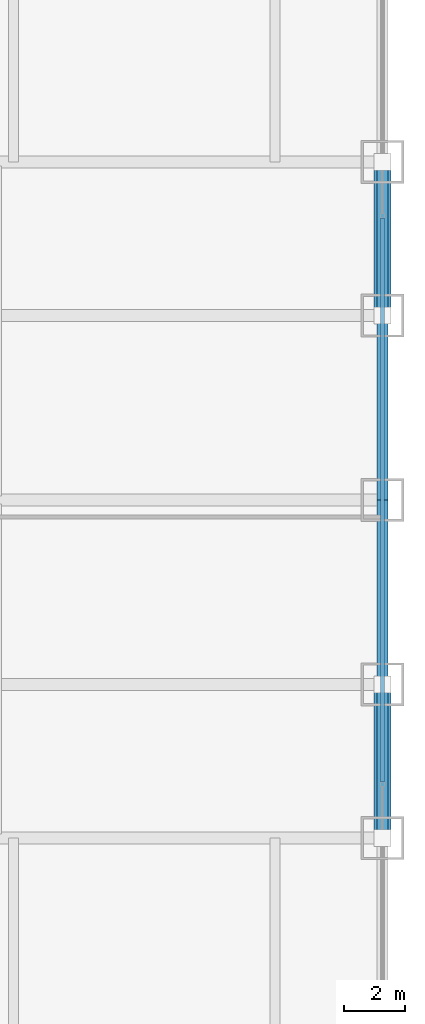
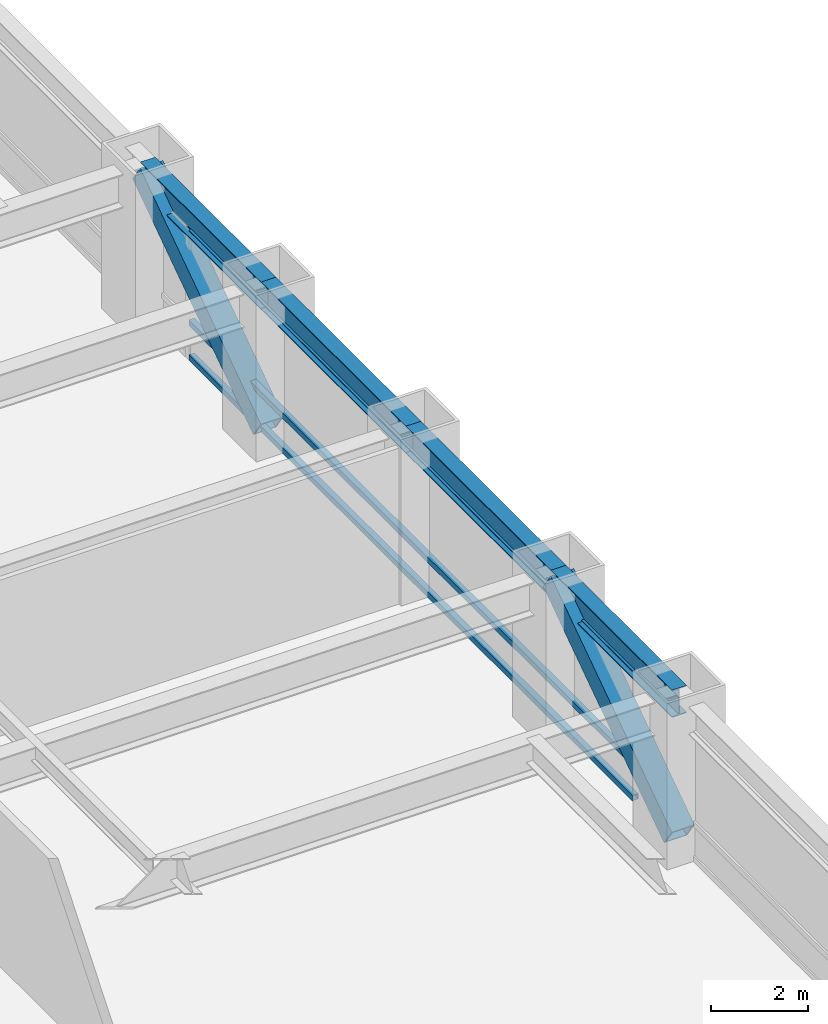
# One storey, part 17 of 28: 5 members, 4 beams, 1 element without a shape of its own.
"""IFC4 building model written with IfcOpenShell, lengths in metres."""

from ifc_helpers import new_model, si_unit, direction, frame, origin, origin_2d, place, context, subcontext, project, spatial, hollow_rectangle, i_section, extrude, source, transform, mapped, material, material_profile, profile_set, type_object, element, aggregate, save


model = new_model("IFC4")

# Units and contexts
model_context = context("Model", 3, precision=1e-05, world=origin(), true_north=direction((0.0, 1.0)))
body_context = subcontext(model_context, "Body", "Model", "MODEL_VIEW")
ifc_project = project(units=[si_unit("LENGTHUNIT", "METRE"), si_unit("AREAUNIT", "SQUARE_METRE"), si_unit("VOLUMEUNIT", "CUBIC_METRE"), si_unit("PLANEANGLEUNIT", "RADIAN"), si_unit("MASSUNIT", "GRAM", prefix="KILO")], contexts=[model_context])

# Site, building, storey
site_placement = place(None, origin())
site = spatial("IfcSite", under=ifc_project, at=site_placement, CompositionType="ELEMENT")
building_placement = place(site_placement, origin())
building = spatial("IfcBuilding", under=site, at=building_placement, Name="Khorayat Bourse Tower", CompositionType="ELEMENT")
storey_placement = place(building_placement, frame((0.0, 0.0, 66.199951171875)))
storey = spatial("IfcBuildingStorey", under=building, at=storey_placement, Name="L14", CompositionType="ELEMENT", Elevation=66.199951171875)

# Beams
ifc_material_1 = material(Name="Steel ASTM A992 Grade 50", Category="steel")
ifc_material_profile_1 = material_profile(ifc_material_1, i_section(OverallWidth=0.35498046875, OverallDepth=0.695068359375, WebThickness=0.015380859375, FlangeThickness=0.02490234375, FilletRadius=0.01806640625, at=origin_2d()), Name="W690X217")
ifc_profile_set_1 = profile_set([ifc_material_profile_1], Name="Steel ASTM A992 Grade 50")
beam_type = type_object("IfcBeamType", Name="BM-SPAN-690", PredefinedType="SPANDREL", material=ifc_profile_set_1)
shared_shape_1 = source(origin(), body_context, "Body", "SweptSolid", [
    extrude(i_section(OverallWidth=0.35498046875, OverallDepth=0.695068359375, WebThickness=0.015380859375, FlangeThickness=0.02490234375, FilletRadius=0.01806640625, at=origin_2d()), origin(), (0.0, 0.0, 1.0), 5.0),
])
for number, where, z_axis, x_axis, name in (
    (1, (32.0, -11.0, 3.592529296875), (0.0, 1.0, 0.0), (-1.0, 0.0, 0.0), "L14 BM-SPAN-690 BM-L14-SPN-036"),
    (2, (32.0, 6.0, 3.592529296875), (0.0, 1.0, 0.0), (-1.0, 0.0, 0.0), "L14 BM-SPAN-690 BM-L14-SPN-039"),
):
    element("IfcBeam", number, at=place(storey_placement, frame(where, z_axis=z_axis, x_axis=x_axis)), inside=storey, type_object=beam_type, Name=name, PredefinedType="SPANDREL", context=body_context, shape_type="MappedRepresentation", body=[
        mapped(shared_shape_1, transform((0.0, 0.0, 0.0), scale=1.0)),
    ])
shared_shape_2 = source(origin(), body_context, "Body", "SweptSolid", [
    extrude(i_section(OverallWidth=0.35498046875, OverallDepth=0.695068359375, WebThickness=0.015380859375, FlangeThickness=0.02490234375, FilletRadius=0.01806640625, at=origin_2d()), origin(), (0.0, 0.0, 1.0), 6.0),
])
for number, where, z_axis, x_axis, name in (
    (3, (32.0, -6.0, 3.592529296875), (0.0, 1.0, 0.0), (-1.0, 0.0, 0.0), "L14 BM-SPAN-690 BM-L14-SPN-037"),
    (4, (32.0, 0.0, 3.592529296875), (0.0, 1.0, 0.0), (-1.0, 0.0, 0.0), "L14 BM-SPAN-690 BM-L14-SPN-038"),
):
    element("IfcBeam", number, at=place(storey_placement, frame(where, z_axis=z_axis, x_axis=x_axis)), inside=storey, type_object=beam_type, Name=name, PredefinedType="SPANDREL", context=body_context, shape_type="MappedRepresentation", body=[
        mapped(shared_shape_2, transform((0.0, 0.0, 0.0), scale=1.0)),
    ])

# Members
ifc_material_2 = material(Name="Steel EN 10025-4 S460M", Category="steel")
ifc_material_profile_2 = material_profile(ifc_material_2, hollow_rectangle(XDim=0.550048828125, YDim=0.550048828125, WallThickness=0.031982421875, at=origin_2d()), Name="HSS 550x550x32")
ifc_profile_set_2 = profile_set([ifc_material_profile_2], Name="Steel EN 10025-4 S460M")
member_type_1 = type_object("IfcMemberType", Name="MBR-TUBE-550", PredefinedType="BRACE", material=ifc_profile_set_2)
shared_shape_3 = source(origin(), body_context, "Body", "SweptSolid", [
    extrude(hollow_rectangle(XDim=0.550048828125, YDim=0.550048828125, WallThickness=0.031982421875, at=origin_2d()), origin(), (0.0, 0.0, 1.0), 6.069091796875),
])
for number, where, z_axis, x_axis, name in (
    (5, (32.0, -11.0, 0.25), (0.0, 0.823854080622, 0.566801952928), (-1.0, 0.0, 0.0), "L14 Perimeter Tube Brace 07"),
    (6, (32.0, 6.0, 0.25), (0.0, 0.823854080622, 0.566801952928), (-1.0, 0.0, 0.0), "L14 Perimeter Tube Brace 08"),
):
    element("IfcMember", number, at=place(storey_placement, frame(where, z_axis=z_axis, x_axis=x_axis)), inside=storey, type_object=member_type_1, Name=name, PredefinedType="BRACE", context=body_context, shape_type="MappedRepresentation", body=[
        mapped(shared_shape_3, transform((0.0, 0.0, 0.0), scale=1.0)),
    ])

# Curtain wall, members
ifc_material_3 = material(Name="Aluminium EN AW-6063 T6", Category="aluminium")
curtain_wall_type = type_object("IfcCurtainWallType", Name="CW-SYS-02", PredefinedType="NOTDEFINED", material=ifc_material_3)
curtain_wall_placement = place(storey_placement, origin())
curtain_wall = element("IfcCurtainWall", 7, at=curtain_wall_placement, inside=storey, type_object=curtain_wall_type, Name="L14 Curtain Wall CW-L14-E1", PredefinedType="NOTDEFINED")
ifc_material_profile_3 = material_profile(ifc_material_3, hollow_rectangle(XDim=0.139892578125, YDim=0.139892578125, WallThickness=0.006103515625, at=origin_2d()), Name="ALU 140x140x6")
ifc_profile_set_3 = profile_set([ifc_material_profile_3], Name="Aluminium EN AW-6063 T6")
member_type_2 = type_object("IfcMemberType", Name="CWT-HORZ-140", PredefinedType="USERDEFINED", material=ifc_profile_set_3)
shared_shape_4 = source(origin(), body_context, "Body", "SweptSolid", [
    extrude(hollow_rectangle(XDim=0.139892578125, YDim=0.139892578125, WallThickness=0.006103515625, at=origin_2d()), origin(), (0.0, 0.0, 1.0), 18.35986328125),
])
member_1_placement = place(storey_placement, frame((32.0, -9.179931640625, 0.070068359375), z_axis=(0.0, 1.0, 0.0), x_axis=(-1.0, 0.0, 0.0)))
member_1 = element("IfcMember", 8, at=member_1_placement, type_object=member_type_2, Name="CW-L14-E1 Horizontal Transom 2-1", ObjectType="TRANSOM", PredefinedType="USERDEFINED", context=body_context, shape_type="MappedRepresentation", body=[
    mapped(shared_shape_4, transform((0.0, 0.0, 0.0), scale=1.0)),
])
member_2_placement = place(storey_placement, frame((32.0, -9.179931640625, 0.949951171875), z_axis=(0.0, 1.0, 0.0), x_axis=(-1.0, 0.0, 0.0)))
member_2 = element("IfcMember", 9, at=member_2_placement, type_object=member_type_2, Name="CW-L14-E1 Horizontal Transom 2-2", ObjectType="TRANSOM", PredefinedType="USERDEFINED", context=body_context, shape_type="MappedRepresentation", body=[
    mapped(shared_shape_4, transform((0.0, 0.0, 0.0), scale=1.0)),
])
member_3_placement = place(storey_placement, frame((32.0, -9.179931640625, 3.219970703125), z_axis=(0.0, 1.0, 0.0), x_axis=(-1.0, 0.0, 0.0)))
member_3 = element("IfcMember", 10, at=member_3_placement, type_object=member_type_2, Name="CW-L14-E1 Horizontal Transom 2-3", ObjectType="TRANSOM", PredefinedType="USERDEFINED", context=body_context, shape_type="MappedRepresentation", body=[
    mapped(shared_shape_4, transform((0.0, 0.0, 0.0), scale=1.0)),
])
aggregate(curtain_wall, [member_1, member_2, member_3])

save(model, "model.ifc")
